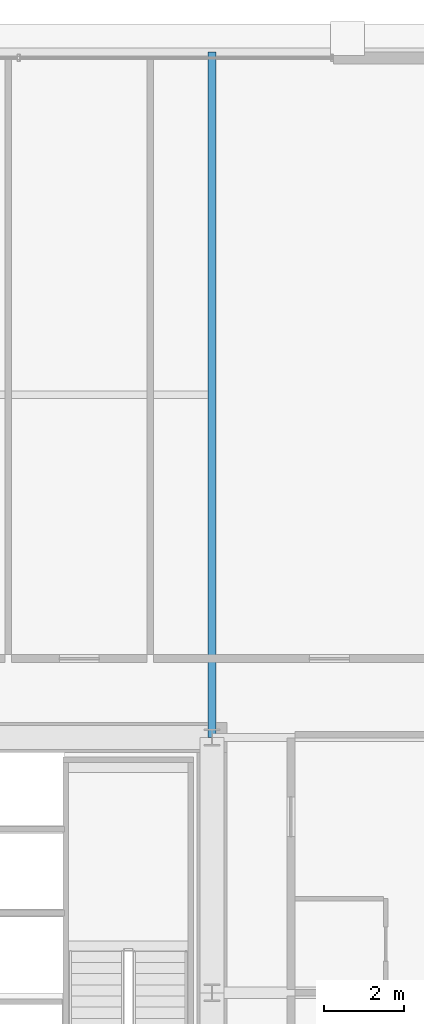
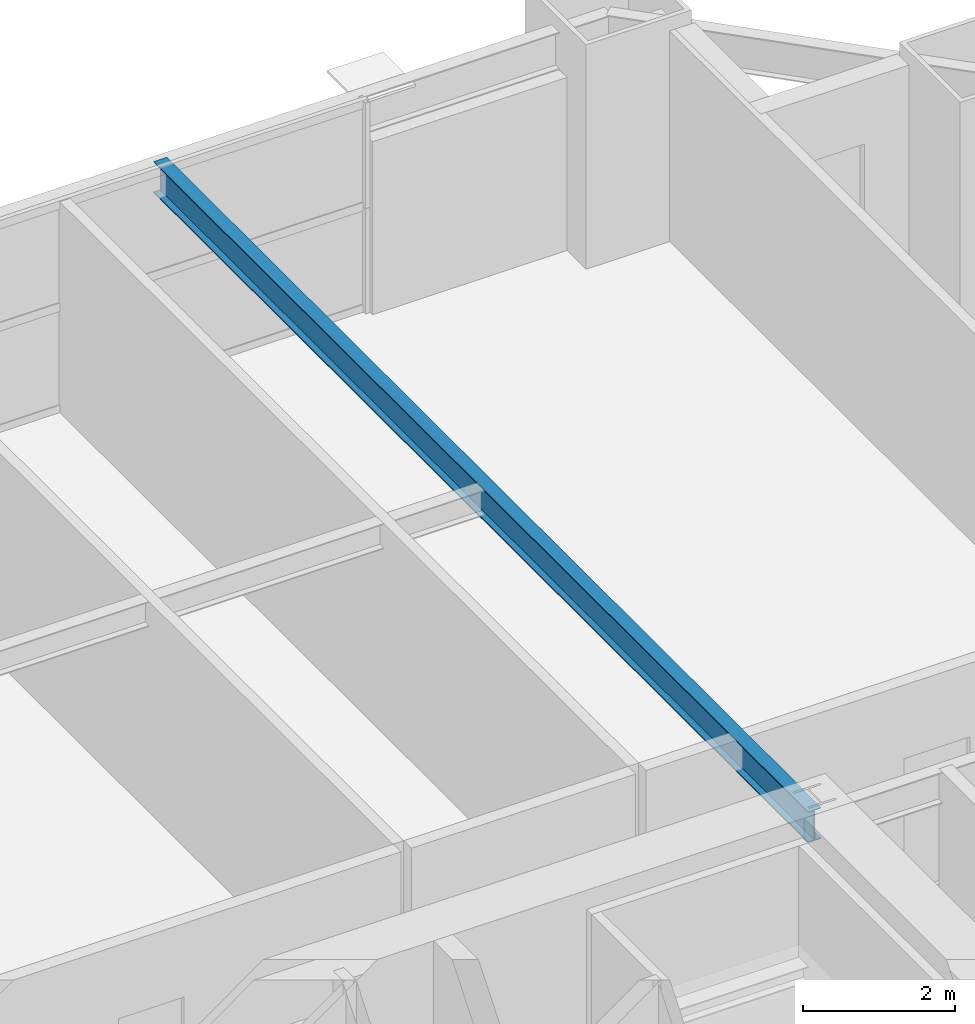
# One storey, part 27 of 38: 1 beam.
"""IFC4 building model written with IfcOpenShell, lengths in metres."""

from ifc_helpers import new_model, si_unit, direction, frame, origin, origin_2d, place, context, subcontext, project, spatial, i_section, extrude, source, transform, mapped, material, material_profile, profile_set, type_object, element, save


model = new_model("IFC4")

# Units and contexts
model_context = context("Model", 3, precision=1e-05, world=origin(), true_north=direction((0.0, 1.0)))
body_context = subcontext(model_context, "Body", "Model", "MODEL_VIEW")
ifc_project = project(units=[si_unit("LENGTHUNIT", "METRE"), si_unit("AREAUNIT", "SQUARE_METRE"), si_unit("VOLUMEUNIT", "CUBIC_METRE"), si_unit("PLANEANGLEUNIT", "RADIAN"), si_unit("MASSUNIT", "GRAM", prefix="KILO"), si_unit("THERMODYNAMICTEMPERATUREUNIT", "KELVIN"), si_unit("POWERUNIT", "WATT")], contexts=[model_context])

# Site, building, storey
site_placement = place(None, origin())
site = spatial("IfcSite", under=ifc_project, at=site_placement, CompositionType="ELEMENT")
building_placement = place(site_placement, origin())
building = spatial("IfcBuilding", under=site, at=building_placement, Name="Yuzanri Waterfront Tower", CompositionType="ELEMENT")
storey_placement = place(building_placement, frame((0.0, 0.0, 111.800048828125)))
storey = spatial("IfcBuildingStorey", under=building, at=storey_placement, Name="L29", CompositionType="ELEMENT", Elevation=111.800048828125)

# Beam
ifc_material = material(Name="Steel Q355B", Category="steel")
ifc_material_profile = material_profile(ifc_material, i_section(OverallWidth=0.199951171875, OverallDepth=0.5, WebThickness=0.010009765625, FlangeThickness=0.01611328125, at=origin_2d()), Name="HN 500x200x10x16")
ifc_profile_set = profile_set([ifc_material_profile], Name="Steel Q355B")
beam_type = type_object("IfcBeamType", Name="Secondary Floor Beam Q355B HN 500x200", PredefinedType="BEAM", material=ifc_profile_set)
shared_shape = source(origin(), body_context, "Body", "SweptSolid", [
    extrude(i_section(OverallWidth=0.199951171875, OverallDepth=0.5, WebThickness=0.010009765625, FlangeThickness=0.01611328125, at=origin_2d()), origin(), (0.0, 0.0, 1.0), 17.199951171875),
])
beam_placement = place(storey_placement, frame((50.199951171875, 32.199951171875, 3.1298828125), z_axis=(0.0, 1.0, 0.0), x_axis=(-1.0, 0.0, 0.0)))
element("IfcBeam", 1, at=beam_placement, inside=storey, type_object=beam_type, Name="L29 North-East Core Line Beam", PredefinedType="BEAM", context=body_context, shape_type="MappedRepresentation", body=[
    mapped(shared_shape, transform((0.0, 0.0, 0.0), scale=1.0)),
])

save(model, "model.ifc")
